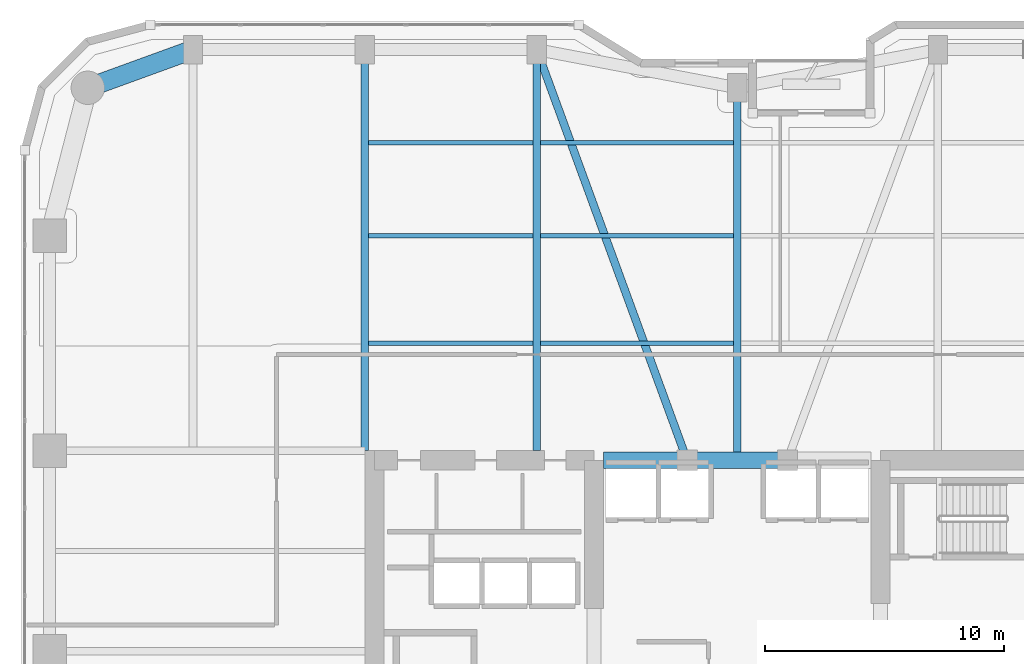
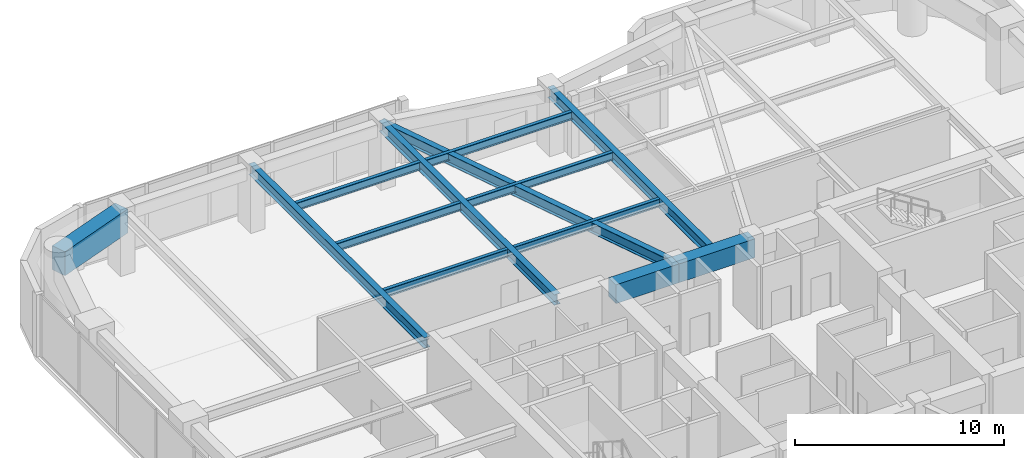
# One storey, part 12 of 24: 13 beams.
"""IFC4 building model written with IfcOpenShell, lengths in metres."""

from ifc_helpers import new_model, si_unit, direction, frame, origin, origin_2d, place, context, subcontext, project, spatial, rectangle, i_section, extrude, material, material_profile, profile_set, type_object, element, save


model = new_model("IFC4")

# Units and contexts
model_context = context("Model", 3, precision=1e-05, world=origin(), true_north=direction((0.0, 1.0)))
body_context = subcontext(model_context, "Body", "Model", "MODEL_VIEW")
ifc_project = project(units=[si_unit("LENGTHUNIT", "METRE"), si_unit("AREAUNIT", "SQUARE_METRE"), si_unit("VOLUMEUNIT", "CUBIC_METRE"), si_unit("PLANEANGLEUNIT", "RADIAN"), si_unit("MASSUNIT", "GRAM", prefix="KILO")], contexts=[model_context])

# Site, building, storey
site_placement = place(None, origin())
site = spatial("IfcSite", under=ifc_project, at=site_placement, CompositionType="ELEMENT")
building_placement = place(site_placement, origin())
building = spatial("IfcBuilding", under=site, at=building_placement, Name="Kiyonajd Concourse Tower", CompositionType="ELEMENT")
storey_placement = place(building_placement, frame((0.0, 0.0, 129.89990234375)))
storey = spatial("IfcBuildingStorey", under=building, at=storey_placement, Name="L33", CompositionType="ELEMENT", Elevation=129.89990234375)

# Beams
ifc_material_1 = material(Name="Concrete C70/85", Category="concrete")
ifc_material_profile_1 = material_profile(ifc_material_1, rectangle(XDim=0.699951171875, YDim=1.10009765625, at=origin_2d()), Name="RCBM-700x1100")
ifc_profile_set_1 = profile_set([ifc_material_profile_1], Name="Concrete C70/85")
beam_type_1 = type_object("IfcBeamType", Name="BM-COUP-1100", PredefinedType="LINTEL", material=ifc_profile_set_1)
beam_1_placement = place(storey_placement, frame((42.39990234375, 44.0, 3.090087890625), z_axis=(1.0, 0.0, 0.0), x_axis=(0.0, 1.0, 0.0)))
element("IfcBeam", 1, at=beam_1_placement, inside=storey, type_object=beam_type_1, Name="L33 Core Coupling Beam N1", PredefinedType="LINTEL", context=body_context, shape_type="SweptSolid", body=[
    extrude(rectangle(XDim=0.699951171875, YDim=1.10009765625, at=origin_2d()), origin(), (0.0, 0.0, 1.0), 3.5),
])
beam_2_placement = place(storey_placement, frame((45.89990234375, 44.0, 3.090087890625), z_axis=(1.0, 0.0, 0.0), x_axis=(0.0, 1.0, 0.0)))
element("IfcBeam", 2, at=beam_2_placement, inside=storey, type_object=beam_type_1, Name="L33 Core Coupling Beam N2", PredefinedType="LINTEL", context=body_context, shape_type="SweptSolid", body=[
    extrude(rectangle(XDim=0.699951171875, YDim=1.10009765625, at=origin_2d()), origin(), (0.0, 0.0, 1.0), 4.2001953125),
])
ifc_material_2 = material(Name="Steel ASTM A992 Grade 50", Category="steel")
ifc_material_profile_2 = material_profile(ifc_material_2, i_section(OverallWidth=0.19189453125, OverallDepth=0.462890625, WebThickness=0.010498046875, FlangeThickness=0.017578125, at=origin_2d()), Name="W460X89")
ifc_profile_set_2 = profile_set([ifc_material_profile_2], Name="Steel ASTM A992 Grade 50")
beam_type_2 = type_object("IfcBeamType", Name="BM-JST-460B", PredefinedType="JOIST", material=ifc_profile_set_2)
beam_3_placement = place(storey_placement, frame((32.5634765625, 48.89990234375, 3.40869140625), z_axis=(1.0, 0.0, 0.0), x_axis=(0.0, 1.0, 0.0)))
element("IfcBeam", 3, at=beam_3_placement, inside=storey, type_object=beam_type_2, Name="L33 Secondary Floor Joist", PredefinedType="JOIST", context=body_context, shape_type="SweptSolid", body=[
    extrude(i_section(OverallWidth=0.19189453125, OverallDepth=0.462890625, WebThickness=0.010498046875, FlangeThickness=0.017578125, at=origin_2d()), origin(), (0.0, 0.0, 1.0), 6.873046875),
])
beam_4_placement = place(storey_placement, frame((39.763427734375, 48.89990234375, 3.40869140625), z_axis=(1.0, 0.0, 0.0), x_axis=(0.0, 1.0, 0.0)))
element("IfcBeam", 4, at=beam_4_placement, inside=storey, type_object=beam_type_2, Name="L33 Secondary Floor Joist", PredefinedType="JOIST", context=body_context, shape_type="SweptSolid", body=[
    extrude(i_section(OverallWidth=0.19189453125, OverallDepth=0.462890625, WebThickness=0.010498046875, FlangeThickness=0.017578125, at=origin_2d()), origin(), (0.0, 0.0, 1.0), 8.072998046875),
])
beam_5_placement = place(storey_placement, frame((32.5634765625, 53.39990234375, 3.40869140625), z_axis=(1.0, 0.0, 0.0), x_axis=(0.0, 1.0, 0.0)))
element("IfcBeam", 5, at=beam_5_placement, inside=storey, type_object=beam_type_2, Name="L33 Secondary Floor Joist", PredefinedType="JOIST", context=body_context, shape_type="SweptSolid", body=[
    extrude(i_section(OverallWidth=0.19189453125, OverallDepth=0.462890625, WebThickness=0.010498046875, FlangeThickness=0.017578125, at=origin_2d()), origin(), (0.0, 0.0, 1.0), 6.873046875),
])
beam_6_placement = place(storey_placement, frame((39.763427734375, 53.39990234375, 3.40869140625), z_axis=(1.0, 0.0, 0.0), x_axis=(0.0, 1.0, 0.0)))
element("IfcBeam", 6, at=beam_6_placement, inside=storey, type_object=beam_type_2, Name="L33 Secondary Floor Joist", PredefinedType="JOIST", context=body_context, shape_type="SweptSolid", body=[
    extrude(i_section(OverallWidth=0.19189453125, OverallDepth=0.462890625, WebThickness=0.010498046875, FlangeThickness=0.017578125, at=origin_2d()), origin(), (0.0, 0.0, 1.0), 8.072998046875),
])
beam_7_placement = place(storey_placement, frame((32.5634765625, 57.300048828125, 3.40869140625), z_axis=(1.0, 0.0, 0.0), x_axis=(0.0, 1.0, 0.0)))
element("IfcBeam", 7, at=beam_7_placement, inside=storey, type_object=beam_type_2, Name="L33 Secondary Floor Joist", PredefinedType="JOIST", context=body_context, shape_type="SweptSolid", body=[
    extrude(i_section(OverallWidth=0.19189453125, OverallDepth=0.462890625, WebThickness=0.010498046875, FlangeThickness=0.017578125, at=origin_2d()), origin(), (0.0, 0.0, 1.0), 6.873046875),
])
beam_8_placement = place(storey_placement, frame((39.763427734375, 57.300048828125, 3.40869140625), z_axis=(1.0, 0.0, 0.0), x_axis=(0.0, 1.0, 0.0)))
element("IfcBeam", 8, at=beam_8_placement, inside=storey, type_object=beam_type_2, Name="L33 Secondary Floor Joist", PredefinedType="JOIST", context=body_context, shape_type="SweptSolid", body=[
    extrude(i_section(OverallWidth=0.19189453125, OverallDepth=0.462890625, WebThickness=0.010498046875, FlangeThickness=0.017578125, at=origin_2d()), origin(), (0.0, 0.0, 1.0), 8.072998046875),
])
ifc_material_profile_3 = material_profile(ifc_material_2, i_section(OverallWidth=0.326904296875, OverallDepth=0.6220703125, WebThickness=0.015380859375, FlangeThickness=0.0244140625, at=origin_2d()), Name="W610X195")
ifc_profile_set_3 = profile_set([ifc_material_profile_3], Name="Steel ASTM A992 Grade 50")
beam_type_3 = type_object("IfcBeamType", Name="BM-TWR-610A", PredefinedType="BEAM", material=ifc_profile_set_3)
beam_9_placement = place(storey_placement, frame((39.60009765625, 61.199951171875, 3.3291015625), z_axis=(0.343925269715, -0.938997022813, 0.0), x_axis=(0.938997022813, 0.343925269715, 0.0)))
element("IfcBeam", 9, at=beam_9_placement, inside=storey, type_object=beam_type_3, Name="L33 Core Tie Girder", PredefinedType="BEAM", context=body_context, shape_type="SweptSolid", body=[
    extrude(i_section(OverallWidth=0.326904296875, OverallDepth=0.6220703125, WebThickness=0.015380859375, FlangeThickness=0.0244140625, at=origin_2d()), origin(), (0.0, 0.0, 1.0), 18.3173828125),
])
for number, where, z_axis, x_axis, name in (
    (10, (32.39990234375, 44.39990234375, 3.3291015625), (0.0, 1.0, 0.0), (-1.0, 0.0, 0.0), "L33 North Lease Girder"),
    (11, (39.60009765625, 44.39990234375, 3.3291015625), (0.0, 1.0, 0.0), (-1.0, 0.0, 0.0), "L33 North Lease Girder"),
):
    element("IfcBeam", number, at=place(storey_placement, frame(where, z_axis=z_axis, x_axis=x_axis)), inside=storey, type_object=beam_type_3, Name=name, PredefinedType="BEAM", context=body_context, shape_type="SweptSolid", body=[
        extrude(i_section(OverallWidth=0.326904296875, OverallDepth=0.6220703125, WebThickness=0.015380859375, FlangeThickness=0.0244140625, at=origin_2d()), origin(), (0.0, 0.0, 1.0), 16.800048828125),
    ])
beam_10_placement = place(storey_placement, frame((48.0, 44.0, 3.3291015625), z_axis=(0.0, 1.0, 0.0), x_axis=(-1.0, 0.0, 0.0)))
element("IfcBeam", 12, at=beam_10_placement, inside=storey, type_object=beam_type_3, Name="L33 North Ribbon Girder", PredefinedType="BEAM", context=body_context, shape_type="SweptSolid", body=[
    extrude(i_section(OverallWidth=0.326904296875, OverallDepth=0.6220703125, WebThickness=0.015380859375, FlangeThickness=0.0244140625, at=origin_2d()), origin(), (0.0, 0.0, 1.0), 15.60009765625),
])
ifc_material_3 = material(Name="Concrete C60/75", Category="concrete")
ifc_material_profile_4 = material_profile(ifc_material_3, rectangle(XDim=0.800048828125, YDim=1.39990234375, at=origin_2d()), Name="RCBM-800x1400")
ifc_profile_set_4 = profile_set([ifc_material_profile_4], Name="Concrete C60/75")
beam_type_4 = type_object("IfcBeamType", Name="BM-XFER-RC", PredefinedType="BEAM", material=ifc_profile_set_4)
beam_11_placement = place(storey_placement, frame((25.199951171875, 61.199951171875, 2.940185546875), z_axis=(-0.939801036019, -0.341722127901, 0.0), x_axis=(0.341722127901, -0.939801036019, 0.0)))
element("IfcBeam", 13, at=beam_11_placement, inside=storey, type_object=beam_type_4, Name="L33 Perimeter Bundled Tube Spandrel", PredefinedType="BEAM", context=body_context, shape_type="SweptSolid", body=[
    extrude(rectangle(XDim=0.800048828125, YDim=1.39990234375, at=origin_2d()), origin(), (0.0, 0.0, 1.0), 4.681640625),
])

save(model, "model.ifc")
